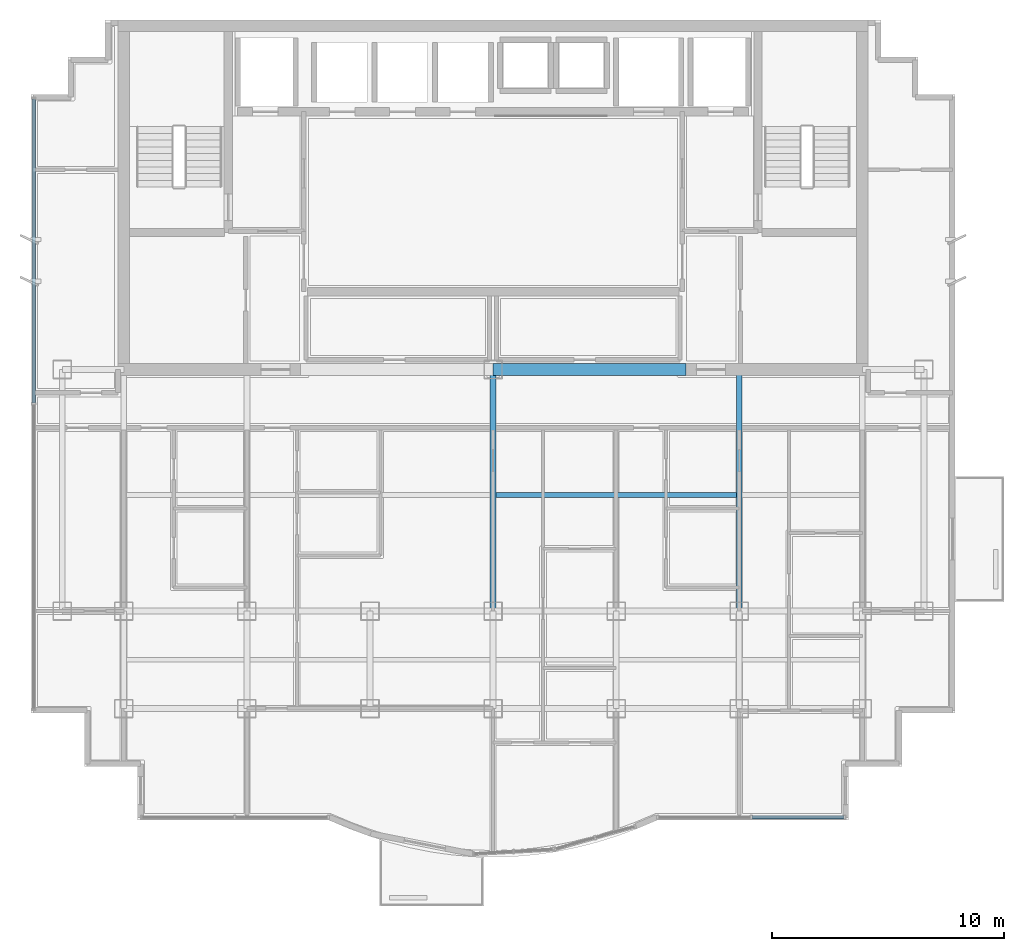
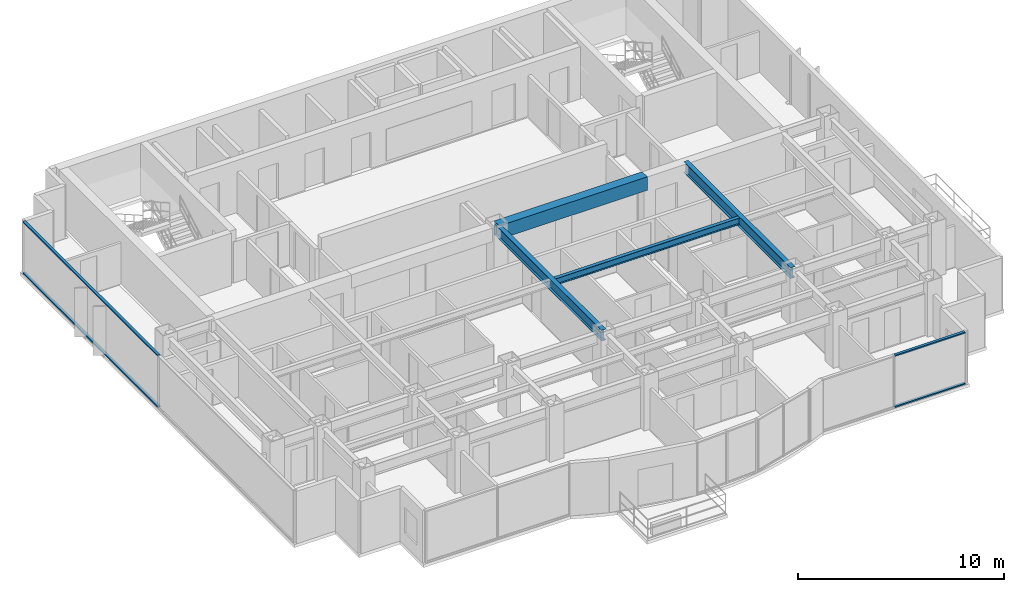
# One storey, part 3 of 11: 4 beams, 4 members, 2 elements without a shape of their own.
"""IFC4 building model written with IfcOpenShell, lengths in metres."""

from ifc_helpers import new_model, si_unit, direction, frame, origin, origin_2d, place, context, subcontext, project, spatial, rectangle, i_section, extrude, source, transform, mapped, material, layer, layer_set, material_profile, profile_set, type_object, element, aggregate, save


model = new_model("IFC4")

# Units and contexts
model_context = context("Model", 3, precision=1e-05, world=origin(), true_north=direction((0.0, 1.0)))
body_context = subcontext(model_context, "Body", "Model", "MODEL_VIEW")
ifc_project = project(units=[si_unit("LENGTHUNIT", "METRE"), si_unit("AREAUNIT", "SQUARE_METRE"), si_unit("VOLUMEUNIT", "CUBIC_METRE"), si_unit("PLANEANGLEUNIT", "RADIAN"), si_unit("MASSUNIT", "GRAM", prefix="KILO")], contexts=[model_context])

# Site, building, storey
site_placement = place(None, origin())
site = spatial("IfcSite", under=ifc_project, at=site_placement, CompositionType="ELEMENT")
building_placement = place(site_placement, origin())
building = spatial("IfcBuilding", under=site, at=building_placement, Name="Qianlan Lanfeng Residences", CompositionType="ELEMENT")
storey_placement = place(building_placement, frame((0.0, 0.0, 206.60009765625)))
storey = spatial("IfcBuildingStorey", under=building, at=storey_placement, Name="L56", CompositionType="ELEMENT", Elevation=206.60009765625)

# Beams
ifc_material_1 = material(Name="Steel SN490B", Category="steel")
ifc_material_profile_1 = material_profile(ifc_material_1, i_section(OverallWidth=0.25, OverallDepth=0.64990234375, WebThickness=0.012939453125, FlangeThickness=0.02197265625, at=origin_2d()), Name="H 650x250x13x22")
ifc_profile_set_1 = profile_set([ifc_material_profile_1], Name="Steel SN490B")
beam_type_1 = type_object("IfcBeamType", Name="G-650", PredefinedType="BEAM", material=ifc_profile_set_1)
for number, where, z_axis, x_axis, name in (
    (1, (26.5, 14.800048828125, 2.784912109375), (0.0, 1.0, 0.0), (-1.0, 0.0, 0.0), "Structural beam G-650"),
    (2, (37.10009765625, 14.800048828125, 2.784912109375), (0.0, 1.0, 0.0), (-1.0, 0.0, 0.0), "Structural beam G-650"),
):
    element("IfcBeam", number, at=place(storey_placement, frame(where, z_axis=z_axis, x_axis=x_axis)), inside=storey, type_object=beam_type_1, Name=name, PredefinedType="BEAM", context=body_context, shape_type="SweptSolid", body=[
        extrude(i_section(OverallWidth=0.25, OverallDepth=0.64990234375, WebThickness=0.012939453125, FlangeThickness=0.02197265625, at=origin_2d()), origin(), (0.0, 0.0, 1.0), 10.39990234375),
    ])
ifc_material_profile_2 = material_profile(ifc_material_1, i_section(OverallWidth=0.199951171875, OverallDepth=0.39990234375, WebThickness=0.008056640625, FlangeThickness=0.012939453125, at=origin_2d()), Name="H 400x200x8x13")
ifc_profile_set_2 = profile_set([ifc_material_profile_2], Name="Steel SN490B")
beam_type_2 = type_object("IfcBeamType", Name="J-400", PredefinedType="JOIST", material=ifc_profile_set_2)
beam_1_placement = place(storey_placement, frame((26.625, 19.800048828125, 2.909912109375), z_axis=(1.0, 0.0, 0.0), x_axis=(0.0, 1.0, 0.0)))
element("IfcBeam", 3, at=beam_1_placement, inside=storey, type_object=beam_type_2, Name="Structural beam J-400", PredefinedType="JOIST", context=body_context, shape_type="SweptSolid", body=[
    extrude(i_section(OverallWidth=0.199951171875, OverallDepth=0.39990234375, WebThickness=0.008056640625, FlangeThickness=0.012939453125, at=origin_2d()), origin(), (0.0, 0.0, 1.0), 10.35009765625),
])
ifc_material_2 = material(Name="Concrete C49", Category="concrete")
ifc_material_profile_3 = material_profile(ifc_material_2, rectangle(XDim=0.5, YDim=0.800048828125, at=origin_2d()), Name="RC 500x800")
ifc_profile_set_3 = profile_set([ifc_material_profile_3], Name="Concrete C49")
beam_type_3 = type_object("IfcBeamType", Name="LB-RC750", PredefinedType="BEAM", material=ifc_profile_set_3)
beam_2_placement = place(storey_placement, frame((26.5, 25.199951171875, 2.7099609375), z_axis=(1.0, 0.0, 0.0), x_axis=(0.0, 1.0, 0.0)))
element("IfcBeam", 4, at=beam_2_placement, inside=storey, type_object=beam_type_3, Name="L56 Core Coupling Beam E", PredefinedType="BEAM", context=body_context, shape_type="SweptSolid", body=[
    extrude(rectangle(XDim=0.5, YDim=0.800048828125, at=origin_2d()), origin(), (0.0, 0.0, 1.0), 8.300048828125),
])

# Curtain wall, members
ifc_material_3 = material(Name="Anodised Bronze Aluminium 6063-T6", Category="aluminium")
ifc_layer = layer(ifc_material_3, 0.219970703125)
ifc_layer_set = layer_set([ifc_layer], Name="Anodised Bronze Aluminium 6063-T6")
curtain_wall_type = type_object("IfcCurtainWallType", Name="CW-05", PredefinedType="NOTDEFINED", material=ifc_layer_set)
curtain_wall_1_placement = place(storey_placement, origin())
curtain_wall_1 = element("IfcCurtainWall", 5, at=curtain_wall_1_placement, inside=storey, type_object=curtain_wall_type, Name="L56 Unitised Curtain Wall CWR-L56-04 (CW-05)", PredefinedType="NOTDEFINED")
ifc_material_profile_4 = material_profile(ifc_material_3, rectangle(XDim=0.074951171875, YDim=0.14990234375, at=origin_2d()), Name="ALU TRANSOM 75x150")
ifc_profile_set_4 = profile_set([ifc_material_profile_4], Name="Anodised Bronze Aluminium 6063-T6")
member_type = type_object("IfcMemberType", Name="CWT-150", PredefinedType="USERDEFINED", material=ifc_profile_set_4)
shared_shape_1 = source(origin(), body_context, "Body", "SweptSolid", [
    extrude(rectangle(XDim=0.074951171875, YDim=0.14990234375, at=origin_2d()), origin(), (0.0, 0.0, 1.0), 3.949462890625),
])
member_1_placement = place(storey_placement, frame((37.655517578125, 5.919921875, 0.037353515625), z_axis=(1.0, 0.0, 0.0), x_axis=(0.0, 0.0, 1.0)))
member_1 = element("IfcMember", 6, at=member_1_placement, type_object=member_type, Name="CWR-L56-04 Transom 2-BOT", ObjectType="TRANSOM", PredefinedType="USERDEFINED", context=body_context, shape_type="MappedRepresentation", body=[
    mapped(shared_shape_1, transform((0.0, 0.0, 0.0), scale=1.0)),
])
member_2_placement = place(storey_placement, frame((37.655517578125, 5.919921875, 3.072509765625), z_axis=(1.0, 0.0, 0.0), x_axis=(0.0, 0.0, 1.0)))
member_2 = element("IfcMember", 7, at=member_2_placement, type_object=member_type, Name="CWR-L56-04 Transom 2-TOP", ObjectType="TRANSOM", PredefinedType="USERDEFINED", context=body_context, shape_type="MappedRepresentation", body=[
    mapped(shared_shape_1, transform((0.0, 0.0, 0.0), scale=1.0)),
])
aggregate(curtain_wall_1, [member_1, member_2])

curtain_wall_2_placement = place(storey_placement, origin())
curtain_wall_2 = element("IfcCurtainWall", 8, at=curtain_wall_2_placement, inside=storey, type_object=curtain_wall_type, Name="L56 Unitised Curtain Wall CWR-L56-05 (CW-05)", PredefinedType="NOTDEFINED")
shared_shape_2 = source(origin(), body_context, "Body", "SweptSolid", [
    extrude(rectangle(XDim=0.074951171875, YDim=0.14990234375, at=origin_2d()), origin(), (0.0, 0.0, 1.0), 13.092529296875),
])
member_3_placement = place(storey_placement, frame((6.719970703125, 36.85498046875, 0.037353515625), z_axis=(0.0, -1.0, 0.0), x_axis=(0.0, 0.0, 1.0)))
member_3 = element("IfcMember", 9, at=member_3_placement, type_object=member_type, Name="CWR-L56-05 Transom 1-BOT", ObjectType="TRANSOM", PredefinedType="USERDEFINED", context=body_context, shape_type="MappedRepresentation", body=[
    mapped(shared_shape_2, transform((0.0, 0.0, 0.0), scale=1.0)),
])
member_4_placement = place(storey_placement, frame((6.719970703125, 36.85498046875, 3.072509765625), z_axis=(0.0, -1.0, 0.0), x_axis=(0.0, 0.0, 1.0)))
member_4 = element("IfcMember", 10, at=member_4_placement, type_object=member_type, Name="CWR-L56-05 Transom 1-TOP", ObjectType="TRANSOM", PredefinedType="USERDEFINED", context=body_context, shape_type="MappedRepresentation", body=[
    mapped(shared_shape_2, transform((0.0, 0.0, 0.0), scale=1.0)),
])
aggregate(curtain_wall_2, [member_3, member_4])

save(model, "model.ifc")
